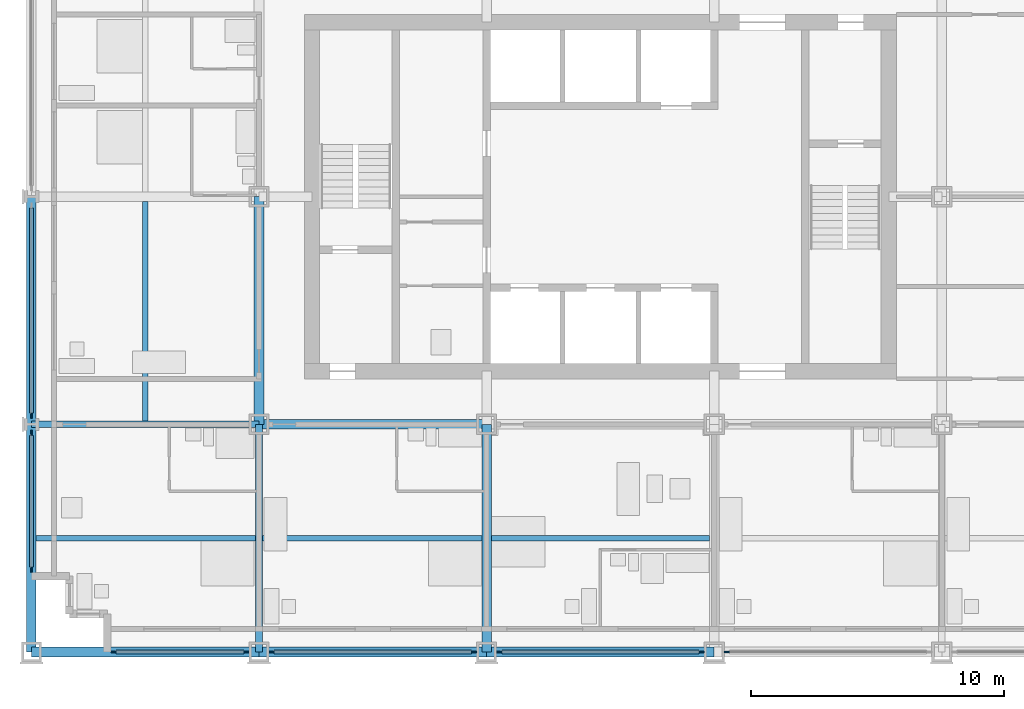
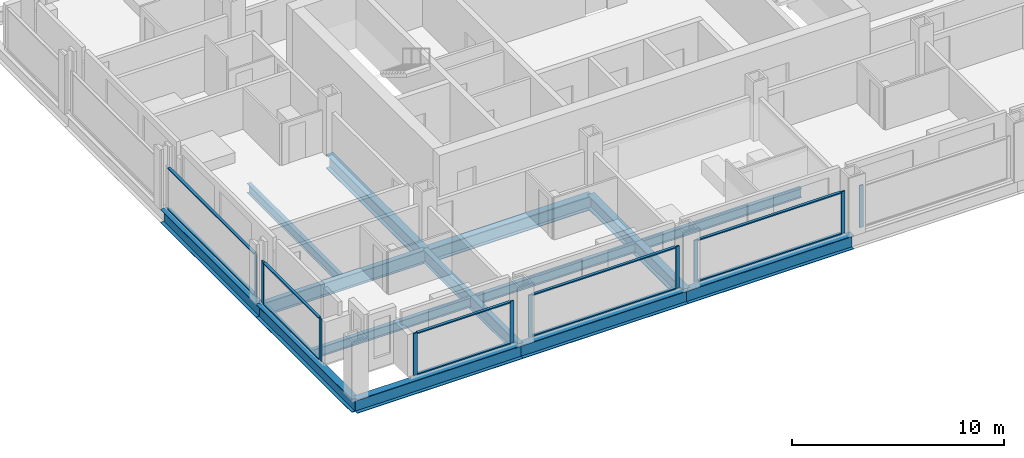
# One storey, part 2 of 18: 20 members, 14 beams, 6 elements without a shape of their own.
"""IFC4 building model written with IfcOpenShell, lengths in metres."""

from ifc_helpers import new_model, si_unit, direction, frame, origin, origin_2d, place, context, subcontext, project, spatial, rectangle, i_section, extrude, material, material_profile, profile_set, type_object, element, aggregate, save


model = new_model("IFC4")

# Units and contexts
model_context = context("Model", 3, precision=1e-05, world=origin(), true_north=direction((0.0, 1.0)))
body_context = subcontext(model_context, "Body", "Model", "MODEL_VIEW")
ifc_project = project(units=[si_unit("LENGTHUNIT", "METRE"), si_unit("AREAUNIT", "SQUARE_METRE"), si_unit("VOLUMEUNIT", "CUBIC_METRE"), si_unit("PLANEANGLEUNIT", "RADIAN"), si_unit("MASSUNIT", "GRAM", prefix="KILO")], contexts=[model_context])

# Site, building, storey
site_placement = place(None, origin())
site = spatial("IfcSite", under=ifc_project, at=site_placement, CompositionType="ELEMENT")
building_placement = place(site_placement, origin())
building = spatial("IfcBuilding", under=site, at=building_placement, Name="Loomwork Tower", CompositionType="ELEMENT")
storey_placement = place(building_placement, frame((0.0, 0.0, 41.60009765625)))
storey = spatial("IfcBuildingStorey", under=building, at=storey_placement, Name="L09", CompositionType="ELEMENT", Elevation=41.60009765625)

# Beams
ifc_material_1 = material(Name="Steel ASTM A992", Category="steel")
ifc_material_profile_1 = material_profile(ifc_material_1, i_section(OverallWidth=0.383544921875, OverallDepth=0.794921875, WebThickness=0.02099609375, FlangeThickness=0.0380859375, at=origin_2d()), Name="W30x235")
ifc_profile_set_1 = profile_set([ifc_material_profile_1], Name="Steel ASTM A992")
beam_type_1 = type_object("IfcBeamType", Name="CORE FLANK GIRDER W30x235", PredefinedType="BEAM", material=ifc_profile_set_1)
for number, where, z_axis, x_axis, name in (
    (1, (9.0, 9.0, -0.59765625), (1.0, 0.0, 0.0), (0.0, 1.0, 0.0), "Core Flank Girder E/3-E/4 L09"),
    (2, (9.0, 9.0, -0.59765625), (0.0, 1.0, 0.0), (-1.0, 0.0, 0.0), "Core Flank Girder E/3-F/3 L09"),
    (3, (18.0, 0.0, -0.59765625), (0.0, 1.0, 0.0), (-1.0, 0.0, 0.0), "Core Flank Girder D/4-E/4 L09"),
):
    element("IfcBeam", number, at=place(storey_placement, frame(where, z_axis=z_axis, x_axis=x_axis)), inside=storey, type_object=beam_type_1, Name=name, PredefinedType="BEAM", context=body_context, shape_type="SweptSolid", body=[
        extrude(i_section(OverallWidth=0.383544921875, OverallDepth=0.794921875, WebThickness=0.02099609375, FlangeThickness=0.0380859375, at=origin_2d()), origin(), (0.0, 0.0, 1.0), 9.0),
    ])
ifc_material_2 = material(Name="Steel ASTM A992", Category="steel")
ifc_material_profile_2 = material_profile(ifc_material_2, i_section(OverallWidth=0.2666015625, OverallDepth=0.761962890625, WebThickness=0.014404296875, FlangeThickness=0.021484375, at=origin_2d()), Name="W30x116")
ifc_profile_set_2 = profile_set([ifc_material_profile_2], Name="Steel ASTM A992")
beam_type_2 = type_object("IfcBeamType", Name="FLOOR GIRDER W30x116", PredefinedType="BEAM", material=ifc_profile_set_2)
for number, where, z_axis, x_axis, name in (
    (4, (0.0, 9.0, -0.5810546875), (1.0, 0.0, 0.0), (0.0, 1.0, 0.0), "Floor Girder E/2-E/3 L09"),
    (5, (9.0, 0.0, -0.5810546875), (0.0, 1.0, 0.0), (-1.0, 0.0, 0.0), "Floor Girder D/3-E/3 L09"),
):
    element("IfcBeam", number, at=place(storey_placement, frame(where, z_axis=z_axis, x_axis=x_axis)), inside=storey, type_object=beam_type_2, Name=name, PredefinedType="BEAM", context=body_context, shape_type="SweptSolid", body=[
        extrude(i_section(OverallWidth=0.2666015625, OverallDepth=0.761962890625, WebThickness=0.014404296875, FlangeThickness=0.021484375, at=origin_2d()), origin(), (0.0, 0.0, 1.0), 9.0),
    ])
ifc_material_3 = material(Name="Steel ASTM A992", Category="steel")
ifc_material_profile_3 = material_profile(ifc_material_3, i_section(OverallWidth=0.2109375, OverallDepth=0.53857421875, WebThickness=0.011474609375, FlangeThickness=0.018798828125, at=origin_2d()), Name="W21x73")
ifc_profile_set_3 = profile_set([ifc_material_profile_3], Name="Steel ASTM A992")
beam_type_3 = type_object("IfcBeamType", Name="FLOOR JOIST W21x73", PredefinedType="JOIST", material=ifc_profile_set_3)
beam_1_placement = place(storey_placement, frame((0.18994140625, 4.5, -0.46923828125), z_axis=(1.0, 0.0, 0.0), x_axis=(0.0, 1.0, 0.0)))
element("IfcBeam", 6, at=beam_1_placement, inside=storey, type_object=beam_type_3, Name="Floor Joist 0.000,4.500-9.000,4.500 L09", PredefinedType="JOIST", context=body_context, shape_type="SweptSolid", body=[
    extrude(i_section(OverallWidth=0.2109375, OverallDepth=0.53857421875, WebThickness=0.011474609375, FlangeThickness=0.018798828125, at=origin_2d()), origin(), (0.0, 0.0, 1.0), 8.677001953125),
])
for number, where, z_axis, x_axis, name in (
    (7, (4.5, 9.133056640625, -0.46923828125), (0.0, 1.0, 0.0), (-1.0, 0.0, 0.0), "Floor Joist 4.500,9.000-4.500,18.000 L09"),
    (8, (9.133056640625, 4.5, -0.46923828125), (1.0, 0.0, 0.0), (0.0, 1.0, 0.0), "Floor Joist 9.000,4.500-18.000,4.500 L09"),
):
    element("IfcBeam", number, at=place(storey_placement, frame(where, z_axis=z_axis, x_axis=x_axis)), inside=storey, type_object=beam_type_3, Name=name, PredefinedType="JOIST", context=body_context, shape_type="SweptSolid", body=[
        extrude(i_section(OverallWidth=0.2109375, OverallDepth=0.53857421875, WebThickness=0.011474609375, FlangeThickness=0.018798828125, at=origin_2d()), origin(), (0.0, 0.0, 1.0), 8.676025390625),
    ])
beam_2_placement = place(storey_placement, frame((18.19091796875, 4.5, -0.46923828125), z_axis=(1.0, 0.0, 0.0), x_axis=(0.0, 1.0, 0.0)))
element("IfcBeam", 9, at=beam_2_placement, inside=storey, type_object=beam_type_3, Name="Floor Joist 18.000,4.500-27.000,4.500 L09", PredefinedType="JOIST", context=body_context, shape_type="SweptSolid", body=[
    extrude(i_section(OverallWidth=0.2109375, OverallDepth=0.53857421875, WebThickness=0.011474609375, FlangeThickness=0.018798828125, at=origin_2d()), origin(), (0.0, 0.0, 1.0), 8.6181640625),
])

# Curtain wall, members
ifc_material_4 = material(Name="Aluminium curtain wall frame", Category="aluminium")
curtain_wall_type = type_object("IfcCurtainWallType", Name="Outer skin glazing hotel", PredefinedType="NOTDEFINED", material=ifc_material_4)
curtain_wall_1_placement = place(storey_placement, origin())
curtain_wall_1 = element("IfcCurtainWall", 10, at=curtain_wall_1_placement, inside=storey, type_object=curtain_wall_type, Name="Outer skin glazing hotel cw/S-0", PredefinedType="NOTDEFINED")
ifc_material_5 = material(Name="Aluminium curtain wall frame", Category="aluminium")
ifc_material_profile_4 = material_profile(ifc_material_5, rectangle(XDim=0.06494140625, YDim=0.199951171875, at=origin_2d()), Name="AL 65x200")
ifc_profile_set_4 = profile_set([ifc_material_profile_4], Name="Aluminium curtain wall frame")
member_type_1 = type_object("IfcMemberType", Name="Outer skin glazing hotel mullion", PredefinedType="MULLION", material=ifc_profile_set_4)
member_1_placement = place(storey_placement, frame((3.25, 0.0, 0.0), z_axis=(0.0, 0.0, 1.0), x_axis=(0.0, 1.0, 0.0)))
member_1 = element("IfcMember", 11, at=member_1_placement, type_object=member_type_1, Name="CW1 mullion 1", PredefinedType="MULLION", context=body_context, shape_type="SweptSolid", body=[
    extrude(rectangle(XDim=0.06494140625, YDim=0.199951171875, at=origin_2d()), origin(), (0.0, 0.0, 1.0), 2.420166015625),
])
member_2_placement = place(storey_placement, frame((8.5, 0.0, 0.0), z_axis=(0.0, 0.0, 1.0), x_axis=(0.0, 1.0, 0.0)))
member_2 = element("IfcMember", 12, at=member_2_placement, type_object=member_type_1, Name="CW1 mullion 2", PredefinedType="MULLION", context=body_context, shape_type="SweptSolid", body=[
    extrude(rectangle(XDim=0.06494140625, YDim=0.199951171875, at=origin_2d()), origin(), (0.0, 0.0, 1.0), 2.420166015625),
])

curtain_wall_2_placement = place(storey_placement, origin())
curtain_wall_2 = element("IfcCurtainWall", 13, at=curtain_wall_2_placement, inside=storey, type_object=curtain_wall_type, Name="Outer skin glazing hotel cw/S-9", PredefinedType="NOTDEFINED")
member_3_placement = place(storey_placement, frame((9.5, 0.0, 0.0), z_axis=(0.0, 0.0, 1.0), x_axis=(0.0, 1.0, 0.0)))
member_3 = element("IfcMember", 14, at=member_3_placement, type_object=member_type_1, Name="CW1 mullion 1", PredefinedType="MULLION", context=body_context, shape_type="SweptSolid", body=[
    extrude(rectangle(XDim=0.06494140625, YDim=0.199951171875, at=origin_2d()), origin(), (0.0, 0.0, 1.0), 2.420166015625),
])
member_4_placement = place(storey_placement, frame((17.5, 0.0, 0.0), z_axis=(0.0, 0.0, 1.0), x_axis=(0.0, 1.0, 0.0)))
member_4 = element("IfcMember", 15, at=member_4_placement, type_object=member_type_1, Name="CW1 mullion 2", PredefinedType="MULLION", context=body_context, shape_type="SweptSolid", body=[
    extrude(rectangle(XDim=0.06494140625, YDim=0.199951171875, at=origin_2d()), origin(), (0.0, 0.0, 1.0), 2.420166015625),
])

curtain_wall_3_placement = place(storey_placement, origin())
curtain_wall_3 = element("IfcCurtainWall", 16, at=curtain_wall_3_placement, inside=storey, type_object=curtain_wall_type, Name="Outer skin glazing hotel cw/S-18", PredefinedType="NOTDEFINED")
member_5_placement = place(storey_placement, frame((18.5, 0.0, 0.0), z_axis=(0.0, 0.0, 1.0), x_axis=(0.0, 1.0, 0.0)))
member_5 = element("IfcMember", 17, at=member_5_placement, type_object=member_type_1, Name="CW1 mullion 1", PredefinedType="MULLION", context=body_context, shape_type="SweptSolid", body=[
    extrude(rectangle(XDim=0.06494140625, YDim=0.199951171875, at=origin_2d()), origin(), (0.0, 0.0, 1.0), 2.420166015625),
])
member_6_placement = place(storey_placement, frame((26.5, 0.0, 0.0), z_axis=(0.0, 0.0, 1.0), x_axis=(0.0, 1.0, 0.0)))
member_6 = element("IfcMember", 18, at=member_6_placement, type_object=member_type_1, Name="CW1 mullion 2", PredefinedType="MULLION", context=body_context, shape_type="SweptSolid", body=[
    extrude(rectangle(XDim=0.06494140625, YDim=0.199951171875, at=origin_2d()), origin(), (0.0, 0.0, 1.0), 2.420166015625),
])

# Curtain wall, member
curtain_wall_4_placement = place(storey_placement, origin())
curtain_wall_4 = element("IfcCurtainWall", 19, at=curtain_wall_4_placement, inside=storey, type_object=curtain_wall_type, Name="Outer skin glazing hotel cw/S-27", PredefinedType="NOTDEFINED")
member_7_placement = place(storey_placement, frame((27.5, 0.0, 0.0), z_axis=(0.0, 0.0, 1.0), x_axis=(0.0, 1.0, 0.0)))
member_7 = element("IfcMember", 20, at=member_7_placement, type_object=member_type_1, Name="CW1 mullion 1", PredefinedType="MULLION", context=body_context, shape_type="SweptSolid", body=[
    extrude(rectangle(XDim=0.06494140625, YDim=0.199951171875, at=origin_2d()), origin(), (0.0, 0.0, 1.0), 2.420166015625),
])
aggregate(curtain_wall_4, [member_7])

# Curtain wall, members
curtain_wall_5_placement = place(storey_placement, origin())
curtain_wall_5 = element("IfcCurtainWall", 21, at=curtain_wall_5_placement, inside=storey, type_object=curtain_wall_type, Name="Outer skin glazing hotel cw/W-0", PredefinedType="NOTDEFINED")
member_8_placement = place(storey_placement, frame((0.0, 8.6611328125, 0.0), z_axis=(0.0, 0.0, 1.0), x_axis=(1.0, 0.0, 0.0)))
member_8 = element("IfcMember", 22, at=member_8_placement, type_object=member_type_1, Name="CW1 mullion 1", PredefinedType="MULLION", context=body_context, shape_type="SweptSolid", body=[
    extrude(rectangle(XDim=0.06494140625, YDim=0.199951171875, at=origin_2d()), origin(), (0.0, 0.0, 1.0), 2.420166015625),
])
member_9_placement = place(storey_placement, frame((0.0, 3.25, 0.0), z_axis=(0.0, 0.0, 1.0), x_axis=(1.0, 0.0, 0.0)))
member_9 = element("IfcMember", 23, at=member_9_placement, type_object=member_type_1, Name="CW1 mullion 2", PredefinedType="MULLION", context=body_context, shape_type="SweptSolid", body=[
    extrude(rectangle(XDim=0.06494140625, YDim=0.199951171875, at=origin_2d()), origin(), (0.0, 0.0, 1.0), 2.420166015625),
])

# Curtain wall, member
curtain_wall_6_placement = place(storey_placement, origin())
curtain_wall_6 = element("IfcCurtainWall", 24, at=curtain_wall_6_placement, inside=storey, type_object=curtain_wall_type, Name="Outer skin glazing hotel cw/W-9", PredefinedType="NOTDEFINED")
member_10_placement = place(storey_placement, frame((0.0, 9.3388671875, 0.0), z_axis=(0.0, 0.0, 1.0), x_axis=(1.0, 0.0, 0.0)))
member_10 = element("IfcMember", 25, at=member_10_placement, type_object=member_type_1, Name="CW1 mullion 2", PredefinedType="MULLION", context=body_context, shape_type="SweptSolid", body=[
    extrude(rectangle(XDim=0.06494140625, YDim=0.199951171875, at=origin_2d()), origin(), (0.0, 0.0, 1.0), 2.420166015625),
])

# Member
ifc_material_6 = material(Name="Aluminium curtain wall frame", Category="aluminium")
ifc_material_profile_5 = material_profile(ifc_material_6, rectangle(XDim=0.14990234375, YDim=0.06494140625, at=origin_2d()), Name="AL 65x150")
ifc_profile_set_5 = profile_set([ifc_material_profile_5], Name="Aluminium curtain wall frame")
member_type_2 = type_object("IfcMemberType", Name="Outer skin glazing hotel transom", PredefinedType="USERDEFINED", material=ifc_profile_set_5)
member_11_placement = place(storey_placement, frame((3.35009765625, 0.0, 0.032470703125), z_axis=(1.0, 0.0, 0.0), x_axis=(0.0, 1.0, 0.0)))
member_11 = element("IfcMember", 26, at=member_11_placement, type_object=member_type_2, Name="CW1 transom 1.1", ObjectType="TRANSOM", PredefinedType="USERDEFINED", context=body_context, shape_type="SweptSolid", body=[
    extrude(rectangle(XDim=0.14990234375, YDim=0.06494140625, at=origin_2d()), origin(), (0.0, 0.0, 1.0), 5.0498046875),
])

member_12_placement = place(storey_placement, frame((3.35009765625, 0.0, 2.3876953125), z_axis=(1.0, 0.0, 0.0), x_axis=(0.0, 1.0, 0.0)))
member_12 = element("IfcMember", 27, at=member_12_placement, type_object=member_type_2, Name="CW1 transom 1.2", ObjectType="TRANSOM", PredefinedType="USERDEFINED", context=body_context, shape_type="SweptSolid", body=[
    extrude(rectangle(XDim=0.14990234375, YDim=0.06494140625, at=origin_2d()), origin(), (0.0, 0.0, 1.0), 5.0498046875),
])

aggregate(curtain_wall_1, [member_1, member_2, member_11, member_12])

member_13_placement = place(storey_placement, frame((9.60009765625, 0.0, 0.032470703125), z_axis=(1.0, 0.0, 0.0), x_axis=(0.0, 1.0, 0.0)))
member_13 = element("IfcMember", 28, at=member_13_placement, type_object=member_type_2, Name="CW1 transom 1.1", ObjectType="TRANSOM", PredefinedType="USERDEFINED", context=body_context, shape_type="SweptSolid", body=[
    extrude(rectangle(XDim=0.14990234375, YDim=0.06494140625, at=origin_2d()), origin(), (0.0, 0.0, 1.0), 7.7998046875),
])

member_14_placement = place(storey_placement, frame((9.60009765625, 0.0, 2.3876953125), z_axis=(1.0, 0.0, 0.0), x_axis=(0.0, 1.0, 0.0)))
member_14 = element("IfcMember", 29, at=member_14_placement, type_object=member_type_2, Name="CW1 transom 1.2", ObjectType="TRANSOM", PredefinedType="USERDEFINED", context=body_context, shape_type="SweptSolid", body=[
    extrude(rectangle(XDim=0.14990234375, YDim=0.06494140625, at=origin_2d()), origin(), (0.0, 0.0, 1.0), 7.7998046875),
])

aggregate(curtain_wall_2, [member_3, member_4, member_13, member_14])

member_15_placement = place(storey_placement, frame((18.60009765625, 0.0, 0.032470703125), z_axis=(1.0, 0.0, 0.0), x_axis=(0.0, 1.0, 0.0)))
member_15 = element("IfcMember", 30, at=member_15_placement, type_object=member_type_2, Name="CW1 transom 1.1", ObjectType="TRANSOM", PredefinedType="USERDEFINED", context=body_context, shape_type="SweptSolid", body=[
    extrude(rectangle(XDim=0.14990234375, YDim=0.06494140625, at=origin_2d()), origin(), (0.0, 0.0, 1.0), 7.7998046875),
])

member_16_placement = place(storey_placement, frame((18.60009765625, 0.0, 2.3876953125), z_axis=(1.0, 0.0, 0.0), x_axis=(0.0, 1.0, 0.0)))
member_16 = element("IfcMember", 31, at=member_16_placement, type_object=member_type_2, Name="CW1 transom 1.2", ObjectType="TRANSOM", PredefinedType="USERDEFINED", context=body_context, shape_type="SweptSolid", body=[
    extrude(rectangle(XDim=0.14990234375, YDim=0.06494140625, at=origin_2d()), origin(), (0.0, 0.0, 1.0), 7.7998046875),
])

aggregate(curtain_wall_3, [member_5, member_6, member_15, member_16])

member_17_placement = place(storey_placement, frame((0.0, 8.561279296875, 0.032470703125), z_axis=(0.0, -1.0, 0.0), x_axis=(1.0, 0.0, 0.0)))
member_17 = element("IfcMember", 32, at=member_17_placement, type_object=member_type_2, Name="CW1 transom 1.1", ObjectType="TRANSOM", PredefinedType="USERDEFINED", context=body_context, shape_type="SweptSolid", body=[
    extrude(rectangle(XDim=0.14990234375, YDim=0.06494140625, at=origin_2d()), origin(), (0.0, 0.0, 1.0), 5.211181640625),
])

member_18_placement = place(storey_placement, frame((0.0, 8.561279296875, 2.3876953125), z_axis=(0.0, -1.0, 0.0), x_axis=(1.0, 0.0, 0.0)))
member_18 = element("IfcMember", 33, at=member_18_placement, type_object=member_type_2, Name="CW1 transom 1.2", ObjectType="TRANSOM", PredefinedType="USERDEFINED", context=body_context, shape_type="SweptSolid", body=[
    extrude(rectangle(XDim=0.14990234375, YDim=0.06494140625, at=origin_2d()), origin(), (0.0, 0.0, 1.0), 5.211181640625),
])

aggregate(curtain_wall_5, [member_8, member_9, member_17, member_18])

member_19_placement = place(storey_placement, frame((0.0, 17.561279296875, 0.032470703125), z_axis=(0.0, -1.0, 0.0), x_axis=(1.0, 0.0, 0.0)))
member_19 = element("IfcMember", 34, at=member_19_placement, type_object=member_type_2, Name="CW1 transom 1.1", ObjectType="TRANSOM", PredefinedType="USERDEFINED", context=body_context, shape_type="SweptSolid", body=[
    extrude(rectangle(XDim=0.14990234375, YDim=0.06494140625, at=origin_2d()), origin(), (0.0, 0.0, 1.0), 8.12255859375),
])

member_20_placement = place(storey_placement, frame((0.0, 17.561279296875, 2.3876953125), z_axis=(0.0, -1.0, 0.0), x_axis=(1.0, 0.0, 0.0)))
member_20 = element("IfcMember", 35, at=member_20_placement, type_object=member_type_2, Name="CW1 transom 1.2", ObjectType="TRANSOM", PredefinedType="USERDEFINED", context=body_context, shape_type="SweptSolid", body=[
    extrude(rectangle(XDim=0.14990234375, YDim=0.06494140625, at=origin_2d()), origin(), (0.0, 0.0, 1.0), 8.12255859375),
])

aggregate(curtain_wall_6, [member_10, member_19, member_20])

# Beams
ifc_material_7 = material(Name="Steel ASTM A992", Category="steel")
ifc_material_profile_6 = material_profile(ifc_material_7, i_section(OverallWidth=0.381103515625, OverallDepth=0.77978515625, WebThickness=0.01806640625, FlangeThickness=0.0302734375, at=origin_2d()), Name="W30x191")
ifc_profile_set_6 = profile_set([ifc_material_profile_6], Name="Steel ASTM A992")
beam_type_4 = type_object("IfcBeamType", Name="SPANDREL GIRDER W30x191", PredefinedType="SPANDREL", material=ifc_profile_set_6)
for number, where, z_axis, x_axis, name in (
    (36, (0.0, 0.0, -0.590087890625), (1.0, 0.0, 0.0), (0.0, 1.0, 0.0), "Spandrel Girder D/2-D/3 L09"),
    (37, (9.0, 0.0, -0.590087890625), (1.0, 0.0, 0.0), (0.0, 1.0, 0.0), "Spandrel Girder D/3-D/4 L09"),
    (38, (18.0, 0.0, -0.590087890625), (1.0, 0.0, 0.0), (0.0, 1.0, 0.0), "Spandrel Girder D/4-D/5 L09"),
    (39, (0.0, 0.0, -0.590087890625), (0.0, 1.0, 0.0), (-1.0, 0.0, 0.0), "Spandrel Girder D/2-E/2 L09"),
    (40, (0.0, 9.0, -0.590087890625), (0.0, 1.0, 0.0), (-1.0, 0.0, 0.0), "Spandrel Girder E/2-F/2 L09"),
):
    element("IfcBeam", number, at=place(storey_placement, frame(where, z_axis=z_axis, x_axis=x_axis)), inside=storey, type_object=beam_type_4, Name=name, PredefinedType="SPANDREL", context=body_context, shape_type="SweptSolid", body=[
        extrude(i_section(OverallWidth=0.381103515625, OverallDepth=0.77978515625, WebThickness=0.01806640625, FlangeThickness=0.0302734375, at=origin_2d()), origin(), (0.0, 0.0, 1.0), 9.0),
    ])

save(model, "model.ifc")
